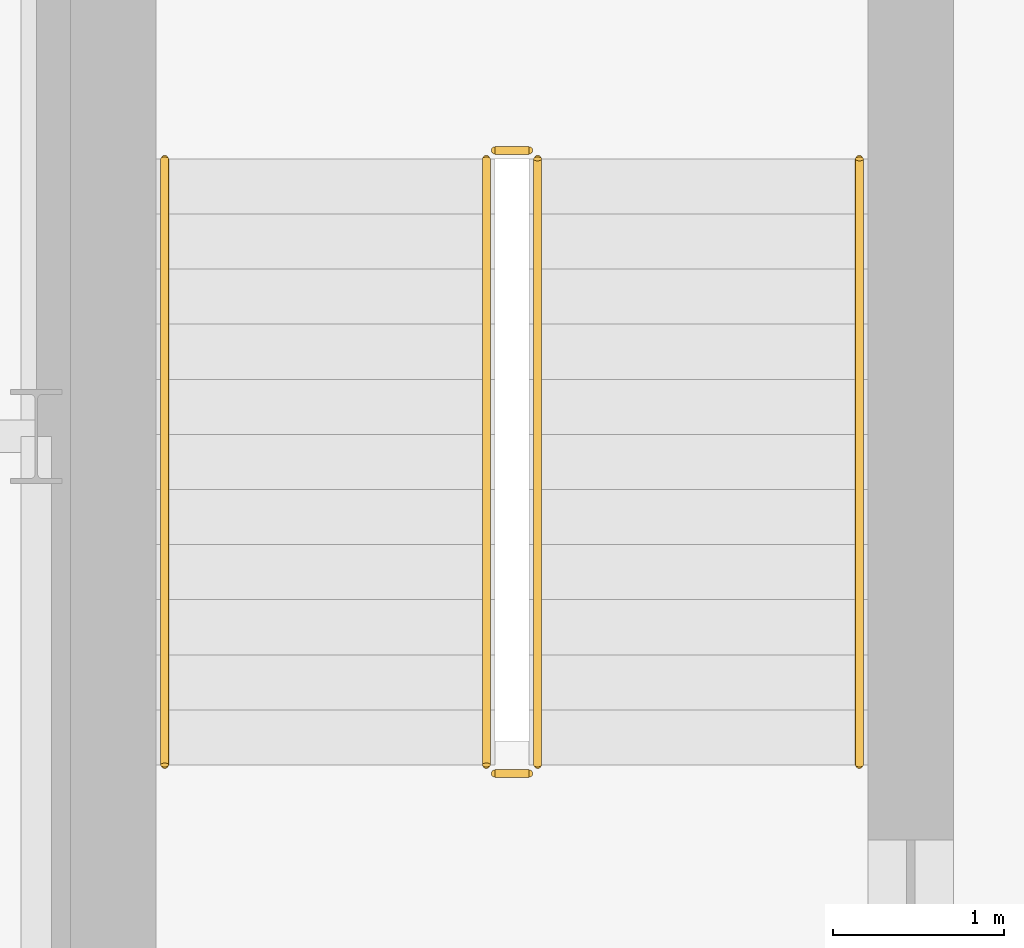
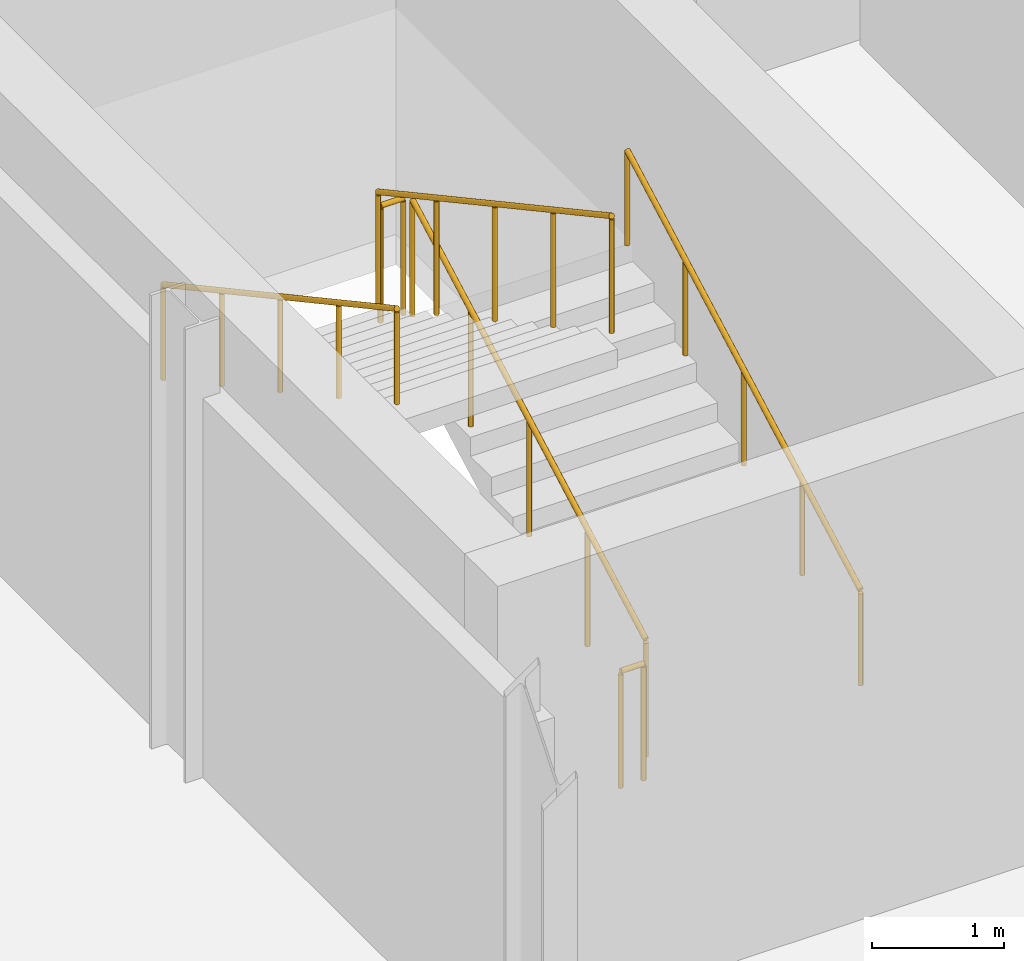
# One storey, part 58 of 58: 6 railings.
"""IFC4 building model written with IfcOpenShell, lengths in metres."""

from ifc_helpers import new_model, si_unit, direction, frame, origin, origin_2d, place, context, subcontext, project, spatial, circle, extrude, material, type_object, element, save


model = new_model("IFC4")

# Units and contexts
model_context = context("Model", 3, precision=1e-05, world=origin(), true_north=direction((0.0, 1.0)))
body_context = subcontext(model_context, "Body", "Model", "MODEL_VIEW")
ifc_project = project(units=[si_unit("LENGTHUNIT", "METRE"), si_unit("AREAUNIT", "SQUARE_METRE"), si_unit("VOLUMEUNIT", "CUBIC_METRE"), si_unit("PLANEANGLEUNIT", "RADIAN"), si_unit("MASSUNIT", "GRAM", prefix="KILO")], contexts=[model_context])

# Site, building, storey
site_placement = place(None, origin())
site = spatial("IfcSite", under=ifc_project, at=site_placement, CompositionType="ELEMENT")
building_placement = place(site_placement, origin())
building = spatial("IfcBuilding", under=site, at=building_placement, Name="Sefraquen Railside Congress Hotel", CompositionType="ELEMENT")
storey_placement = place(building_placement, frame((0.0, 0.0, 16.199951171875)))
storey = spatial("IfcBuildingStorey", under=building, at=storey_placement, Name="L03", CompositionType="ELEMENT", Elevation=16.199951171875)

# Railings
ifc_material = material(Name="Patinated wrought architectural bronze", Category="metal")
railing_type_1 = type_object("IfcRailingType", Name="TRL-BAL-110", PredefinedType="BALUSTRADE", material=ifc_material)
railing_1_placement = place(storey_placement, frame((67.1298828125, 99.47998046875, 0.175048828125)))
element("IfcRailing", 1, at=railing_1_placement, inside=storey, type_object=railing_type_1, Name="L03 ST-H03 stair guard 1", PredefinedType="BALUSTRADE", context=body_context, shape_type="SweptSolid", body=[
    extrude(circle(Radius=0.02392578125, at=origin_2d()), frame((0.0, 0.0, 1.076171875), z_axis=(0.0, 0.878618985891, 0.477523483854), x_axis=(-1.0, 0.0, 0.0)), (0.0, 0.0, 1.0), 4.03125),
    extrude(circle(Radius=0.02099609375, at=origin_2d()), origin(), (0.0, 0.0, 1.0), 1.052001953125),
    extrude(circle(Radius=0.02099609375, at=origin_2d()), frame((0.0, 0.885498046875, 0.481201171875)), (0.0, 0.0, 1.0), 1.052001953125),
    extrude(circle(Radius=0.02099609375, at=origin_2d()), frame((0.0, 1.77099609375, 0.96240234375)), (0.0, 0.0, 1.0), 1.052001953125),
    extrude(circle(Radius=0.02099609375, at=origin_2d()), frame((0.0, 2.656494140625, 1.44384765625)), (0.0, 0.0, 1.0), 1.052001953125),
    extrude(circle(Radius=0.02099609375, at=origin_2d()), frame((0.0, 3.5419921875, 1.925048828125)), (0.0, 0.0, 1.0), 1.052001953125),
])
railing_2_placement = place(storey_placement, frame((67.080078125, 103.072021484375, 2.10009765625)))
element("IfcRailing", 2, at=railing_2_placement, inside=storey, type_object=railing_type_1, Name="L03 ST-H03 stair guard 2", PredefinedType="BALUSTRADE", context=body_context, shape_type="SweptSolid", body=[
    extrude(circle(Radius=0.02392578125, at=origin_2d()), frame((0.0, 0.0, 1.076171875), z_axis=(-1.0, 0.0, 0.0), x_axis=(0.0, -1.0, 0.0)), (0.0, 0.0, 1.0), 0.2001953125),
    extrude(circle(Radius=0.02099609375, at=origin_2d()), origin(), (0.0, 0.0, 1.0), 1.052001953125),
    extrude(circle(Radius=0.02099609375, at=origin_2d()), frame((-0.2001953125, 0.0, 0.0)), (0.0, 0.0, 1.0), 1.052001953125),
])
railing_3_placement = place(storey_placement, frame((66.830078125, 103.02197265625, 2.275146484375)))
element("IfcRailing", 3, at=railing_3_placement, inside=storey, type_object=railing_type_1, Name="L03 ST-H03 stair guard 3", PredefinedType="BALUSTRADE", context=body_context, shape_type="SweptSolid", body=[
    extrude(circle(Radius=0.02392578125, at=origin_2d()), frame((0.0, 0.0, 1.076171875), z_axis=(0.0, -0.878644394428, 0.477476730471), x_axis=(1.0, 0.0, 0.0)), (0.0, 0.0, 1.0), 4.03125),
    extrude(circle(Radius=0.02099609375, at=origin_2d()), origin(), (0.0, 0.0, 1.0), 1.052001953125),
    extrude(circle(Radius=0.02099609375, at=origin_2d()), frame((0.0, -0.885498046875, 0.481201171875)), (0.0, 0.0, 1.0), 1.052001953125),
    extrude(circle(Radius=0.02099609375, at=origin_2d()), frame((0.0, -1.77099609375, 0.96240234375)), (0.0, 0.0, 1.0), 1.052001953125),
    extrude(circle(Radius=0.02099609375, at=origin_2d()), frame((0.0, -2.656494140625, 1.443603515625)), (0.0, 0.0, 1.0), 1.052001953125),
    extrude(circle(Radius=0.02099609375, at=origin_2d()), frame((0.0, -3.5419921875, 1.9248046875)), (0.0, 0.0, 1.0), 1.052001953125),
])
railing_4_placement = place(storey_placement, frame((67.080078125, 99.429931640625, 0.0)))
element("IfcRailing", 4, at=railing_4_placement, inside=storey, type_object=railing_type_1, Name="L03 ST-H03 stair guard 4", PredefinedType="BALUSTRADE", context=body_context, shape_type="SweptSolid", body=[
    extrude(circle(Radius=0.02392578125, at=origin_2d()), frame((0.0, 0.0, 1.076171875), z_axis=(-1.0, 0.0, 0.0), x_axis=(0.0, -1.0, 0.0)), (0.0, 0.0, 1.0), 0.2001953125),
    extrude(circle(Radius=0.02099609375, at=origin_2d()), origin(), (0.0, 0.0, 1.0), 1.052001953125),
    extrude(circle(Radius=0.02099609375, at=origin_2d()), frame((-0.2001953125, 0.0, 0.0)), (0.0, 0.0, 1.0), 1.052001953125),
])
railing_type_2 = type_object("IfcRailingType", Name="TRL-HR-090", PredefinedType="HANDRAIL", material=ifc_material)
railing_5_placement = place(storey_placement, frame((69.010009765625, 99.47998046875, 0.175048828125)))
element("IfcRailing", 5, at=railing_5_placement, inside=storey, type_object=railing_type_2, Name="L03 ST-H03 stair handrail 1", PredefinedType="HANDRAIL", context=body_context, shape_type="SweptSolid", body=[
    extrude(circle(Radius=0.02392578125, at=origin_2d()), frame((0.0, 0.0, 0.8759765625), z_axis=(0.0, 0.878618985891, 0.477523483854), x_axis=(-1.0, 0.0, 0.0)), (0.0, 0.0, 1.0), 4.03125),
    extrude(circle(Radius=0.02099609375, at=origin_2d()), origin(), (0.0, 0.0, 1.0), 0.851806640625),
    extrude(circle(Radius=0.02099609375, at=origin_2d()), frame((0.0, 0.885498046875, 0.481201171875)), (0.0, 0.0, 1.0), 0.851806640625),
    extrude(circle(Radius=0.02099609375, at=origin_2d()), frame((0.0, 1.77099609375, 0.96240234375)), (0.0, 0.0, 1.0), 0.851806640625),
    extrude(circle(Radius=0.02099609375, at=origin_2d()), frame((0.0, 2.656494140625, 1.44384765625)), (0.0, 0.0, 1.0), 0.851806640625),
    extrude(circle(Radius=0.02099609375, at=origin_2d()), frame((0.0, 3.5419921875, 1.925048828125)), (0.0, 0.0, 1.0), 0.851806640625),
])
railing_6_placement = place(storey_placement, frame((64.949951171875, 103.02197265625, 2.275146484375)))
element("IfcRailing", 6, at=railing_6_placement, inside=storey, type_object=railing_type_2, Name="L03 ST-H03 stair handrail 2", PredefinedType="HANDRAIL", context=body_context, shape_type="SweptSolid", body=[
    extrude(circle(Radius=0.02392578125, at=origin_2d()), frame((0.0, 0.0, 0.8759765625), z_axis=(0.0, -0.878644394428, 0.477476730471), x_axis=(1.0, 0.0, 0.0)), (0.0, 0.0, 1.0), 4.03125),
    extrude(circle(Radius=0.02099609375, at=origin_2d()), origin(), (0.0, 0.0, 1.0), 0.851806640625),
    extrude(circle(Radius=0.02099609375, at=origin_2d()), frame((0.0, -0.885498046875, 0.481201171875)), (0.0, 0.0, 1.0), 0.851806640625),
    extrude(circle(Radius=0.02099609375, at=origin_2d()), frame((0.0, -1.77099609375, 0.96240234375)), (0.0, 0.0, 1.0), 0.851806640625),
    extrude(circle(Radius=0.02099609375, at=origin_2d()), frame((0.0, -2.656494140625, 1.443603515625)), (0.0, 0.0, 1.0), 0.851806640625),
    extrude(circle(Radius=0.02099609375, at=origin_2d()), frame((0.0, -3.5419921875, 1.9248046875)), (0.0, 0.0, 1.0), 0.851806640625),
])

save(model, "model.ifc")
